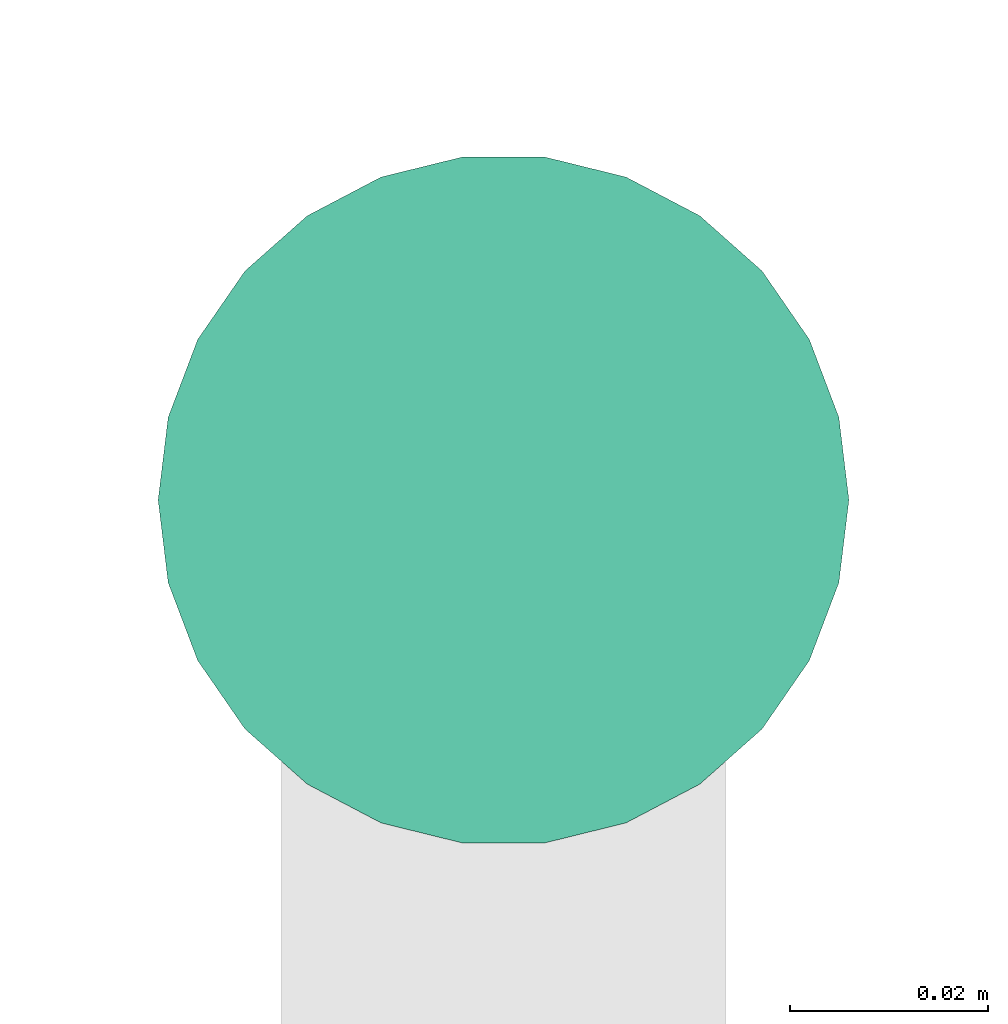
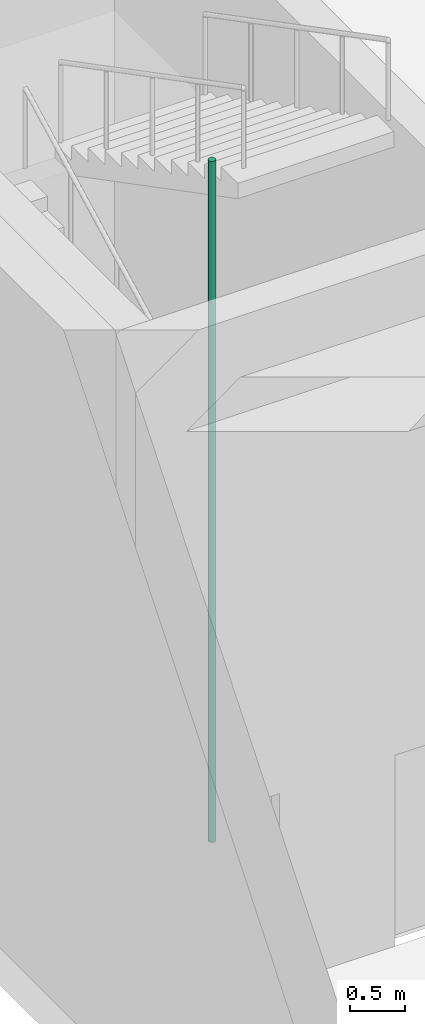
# One storey, part 29 of 36: 1 pipe segment.
"""IFC4 building model written with IfcOpenShell, lengths in metres."""

from ifc_helpers import new_model, si_unit, direction, frame, origin, origin_2d, place, context, subcontext, project, spatial, circle, extrude, element, save


model = new_model("IFC4")

# Units and contexts
model_context = context("Model", 3, precision=1e-05, world=origin(), true_north=direction((0.0, 1.0)))
body_context = subcontext(model_context, "Body", "Model", "MODEL_VIEW")
ifc_project = project(units=[si_unit("LENGTHUNIT", "METRE"), si_unit("AREAUNIT", "SQUARE_METRE"), si_unit("VOLUMEUNIT", "CUBIC_METRE"), si_unit("PLANEANGLEUNIT", "RADIAN"), si_unit("MASSUNIT", "GRAM", prefix="KILO")], contexts=[model_context])

# Site, building, storey
site_placement = place(None, origin())
site = spatial("IfcSite", under=ifc_project, at=site_placement, CompositionType="ELEMENT")
building_placement = place(site_placement, origin())
building = spatial("IfcBuilding", under=site, at=building_placement, Name="Nzadi Deep Aquarium and Research Tower", CompositionType="ELEMENT")
storey_placement = place(building_placement, frame((0.0, 0.0, 14.199951171875)))
storey = spatial("IfcBuildingStorey", under=building, at=storey_placement, Name="L02", CompositionType="ELEMENT", Elevation=14.199951171875)

# Pipe segment
pipe_segment_placement = place(storey_placement, frame((2.300048828125, 116.360107421875, 0.0), z_axis=(0.0, 0.0, 1.0), x_axis=(1.0, 0.0, 0.0)))
element("IfcPipeSegment", 1, at=pipe_segment_placement, inside=storey, Name="Dry riser ST-Z3-W L02", PredefinedType="RIGIDSEGMENT", context=body_context, shape_type="SweptSolid", body=[
    extrude(circle(Radius=0.034912109375, at=origin_2d()), origin(), (0.0, 0.0, 1.0), 7.5),
])

save(model, "model.ifc")
